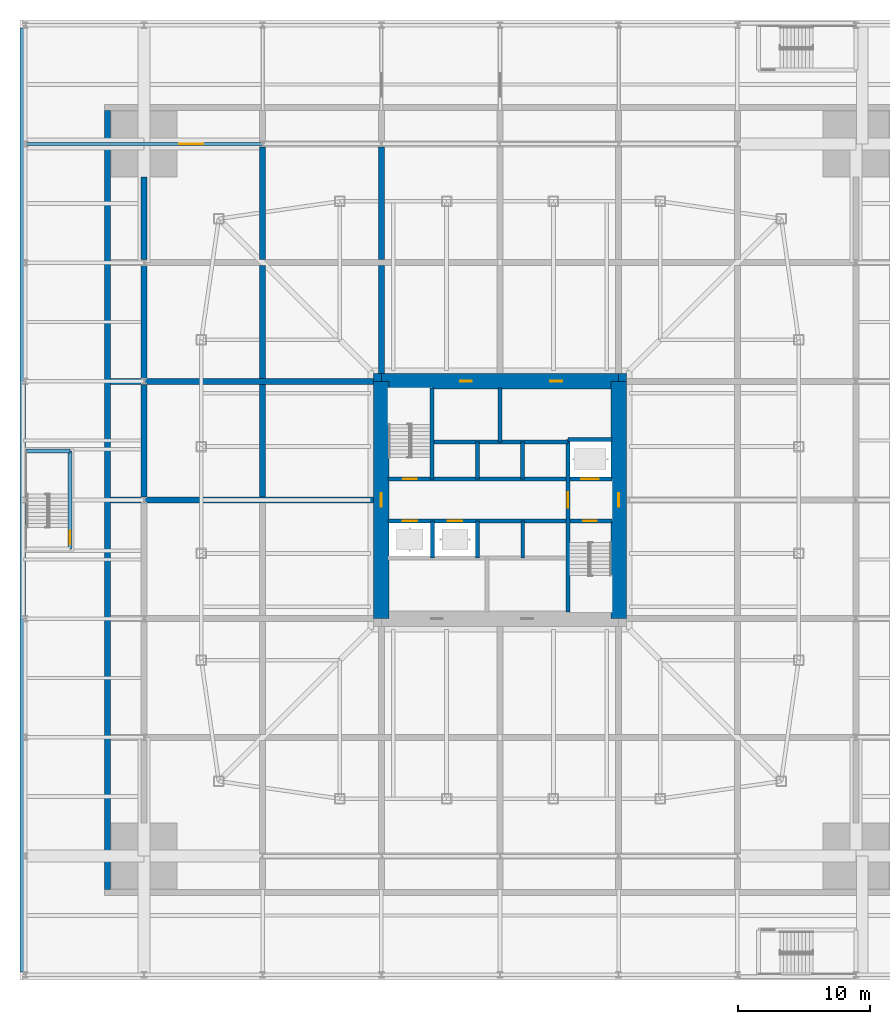
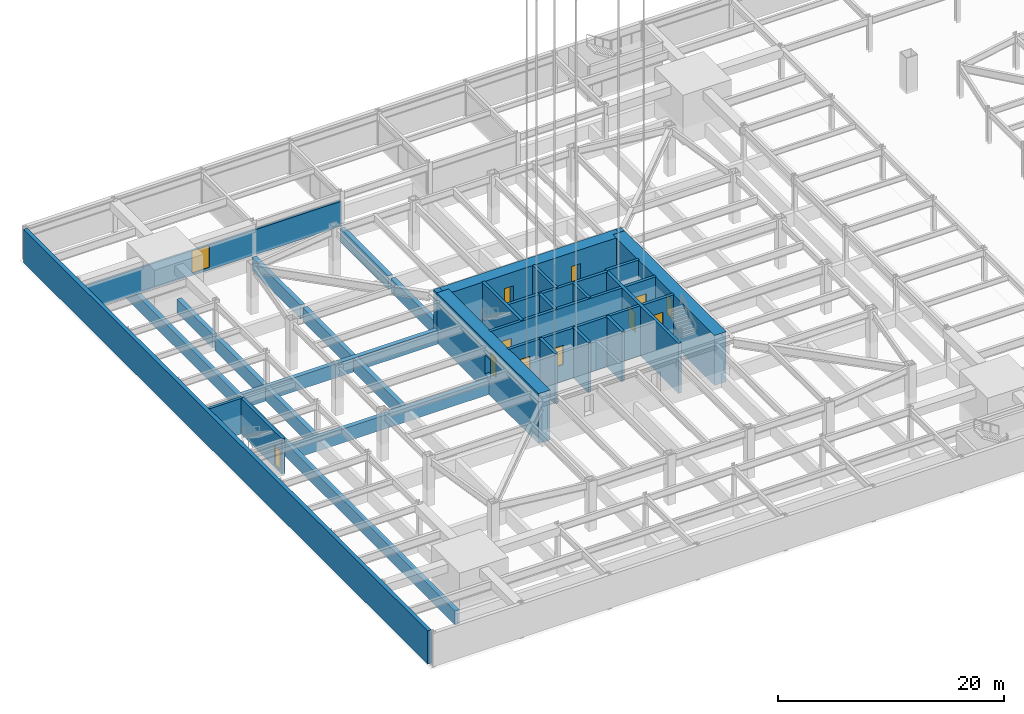
# One storey, part 13 of 35: 32 walls, 12 doors, 12 openings.
"""IFC4 building model written with IfcOpenShell, lengths in metres."""

from ifc_helpers import new_model, si_unit, direction, frame, frame_2d, origin, place, context, subcontext, project, spatial, rectangle, extrude, material, layer, layer_set, type_object, element, fill, save


model = new_model("IFC4")

# Units and contexts
model_context = context("Model", 3, precision=1e-05, world=origin(), true_north=direction((0.0, 1.0)))
body_context = subcontext(model_context, "Body", "Model", "MODEL_VIEW")
ifc_project = project(units=[si_unit("LENGTHUNIT", "METRE"), si_unit("AREAUNIT", "SQUARE_METRE"), si_unit("VOLUMEUNIT", "CUBIC_METRE"), si_unit("PLANEANGLEUNIT", "RADIAN"), si_unit("MASSUNIT", "GRAM", prefix="KILO")], contexts=[model_context])

# Site, building, storey
site_placement = place(None, origin())
site = spatial("IfcSite", under=ifc_project, at=site_placement, CompositionType="ELEMENT")
building_placement = place(site_placement, origin())
building = spatial("IfcBuilding", under=site, at=building_placement, Name="Iwan Alto Co-Living Towers", CompositionType="ELEMENT")
storey_placement = place(building_placement, frame((0.0, 0.0, -7.199951171875)))
storey = spatial("IfcBuildingStorey", under=building, at=storey_placement, Name="B2", CompositionType="ELEMENT", Elevation=-7.199951171875)

# Walls
ifc_material_1 = material(Name="Concrete f'c 70 MPa", Category="concrete")
ifc_layer_1 = layer(ifc_material_1, 0.39990234375)
ifc_layer_set_1 = layer_set([ifc_layer_1], Name="BASEMENT RETAINING WALL 400")
wall_type_1 = type_object("IfcWallType", Name="BASEMENT RETAINING WALL 400", PredefinedType="SOLIDWALL", material=ifc_layer_set_1)
wall_1_placement = place(storey_placement, frame((-36.199951171875, 35.800048828125, 0.0), z_axis=(0.0, 0.0, 1.0), x_axis=(0.0, -1.0, 0.0)))
element("IfcWall", 1, at=wall_1_placement, inside=storey, type_object=wall_type_1, Name="Basement retaining wall W B2", PredefinedType="SOLIDWALL", context=body_context, shape_type="SweptSolid", body=[
    extrude(rectangle(XDim=71.60009765625, YDim=0.39990234375, at=frame_2d((35.800048828125, 0.0))), origin(), (0.0, 0.0, 1.0), 3.599853515625),
])
ifc_material_2 = material(Name="Concrete f'c 35 MPa", Category="concrete")
ifc_layer_2 = layer(ifc_material_2, 0.449951171875)
ifc_layer_set_2 = layer_set([ifc_layer_2], Name="BOX CELL WALL 450")
wall_type_2 = type_object("IfcWallType", Name="BOX CELL WALL 450", PredefinedType="SOLIDWALL", material=ifc_layer_set_2)
wall_2_placement = place(storey_placement, frame((-29.77490234375, 29.550048828125, -1.800048828125), z_axis=(0.0, 0.0, 1.0), x_axis=(0.0, -1.0, 0.0)))
element("IfcWall", 2, at=wall_2_placement, inside=storey, type_object=wall_type_2, Name="T1 box perimeter wall W", PredefinedType="SOLIDWALL", context=body_context, shape_type="SweptSolid", body=[
    extrude(rectangle(XDim=59.10009765625, YDim=0.449951171875, at=frame_2d((29.550048828125, 0.0))), origin(), (0.0, 0.0, 1.0), 1.5),
])
for number, where, z_axis, x_axis, name in (
    (3, (-29.550048828125, 0.0, -1.800048828125), (0.0, 0.0, 1.0), (1.0, 0.0, 0.0), "T1 box cell wall on grid E"),
    (4, (-29.550048828125, 9.0, -1.800048828125), (0.0, 0.0, 1.0), (1.0, 0.0, 0.0), "T1 box cell wall on grid F"),
):
    element("IfcWall", number, at=place(storey_placement, frame(where, z_axis=z_axis, x_axis=x_axis)), inside=storey, type_object=wall_type_2, Name=name, PredefinedType="SOLIDWALL", context=body_context, shape_type="SweptSolid", body=[
        extrude(rectangle(XDim=19.949951171875, YDim=0.449951171875, at=frame_2d((9.97509765625, 0.0))), origin(), (0.0, 0.0, 1.0), 1.5),
    ])
for number, where, z_axis, x_axis, name in (
    (5, (-27.0, 0.22509765625, -1.800048828125), (0.0, 0.0, 1.0), (0.0, 1.0, 0.0), "T1 box cell wall on grid 2"),
    (6, (-27.0, 9.22509765625, -1.800048828125), (0.0, 0.0, 1.0), (0.0, 1.0, 0.0), "T1 box cell wall on grid 2"),
):
    element("IfcWall", number, at=place(storey_placement, frame(where, z_axis=z_axis, x_axis=x_axis)), inside=storey, type_object=wall_type_2, Name=name, PredefinedType="SOLIDWALL", context=body_context, shape_type="SweptSolid", body=[
        extrude(rectangle(XDim=8.5498046875, YDim=0.449951171875, at=frame_2d((4.27490234375, 0.0))), origin(), (0.0, 0.0, 1.0), 1.5),
    ])
wall_3_placement = place(storey_placement, frame((-27.0, 18.22509765625, -1.800048828125), z_axis=(0.0, 0.0, 1.0), x_axis=(0.0, 1.0, 0.0)))
element("IfcWall", 7, at=wall_3_placement, inside=storey, type_object=wall_type_2, Name="T1 box cell wall on grid 2", PredefinedType="SOLIDWALL", context=body_context, shape_type="SweptSolid", body=[
    extrude(rectangle(XDim=6.27490234375, YDim=0.449951171875, at=frame_2d((3.137451171875, 0.0))), origin(), (0.0, 0.0, 1.0), 1.5),
])
for number, where, z_axis, x_axis, name in (
    (8, (-18.0, 0.22509765625, -1.800048828125), (0.0, 0.0, 1.0), (0.0, 1.0, 0.0), "T1 box cell wall on grid 3"),
    (9, (-18.0, 9.22509765625, -1.800048828125), (0.0, 0.0, 1.0), (0.0, 1.0, 0.0), "T1 box cell wall on grid 3"),
    (10, (-18.0, 18.22509765625, -1.800048828125), (0.0, 0.0, 1.0), (0.0, 1.0, 0.0), "T1 box cell wall on grid 3"),
):
    element("IfcWall", number, at=place(storey_placement, frame(where, z_axis=z_axis, x_axis=x_axis)), inside=storey, type_object=wall_type_2, Name=name, PredefinedType="SOLIDWALL", context=body_context, shape_type="SweptSolid", body=[
        extrude(rectangle(XDim=8.5498046875, YDim=0.449951171875, at=frame_2d((4.27490234375, 0.0))), origin(), (0.0, 0.0, 1.0), 1.5),
    ])
wall_4_placement = place(storey_placement, frame((-9.0, 9.60009765625, -1.800048828125), z_axis=(0.0, 0.0, 1.0), x_axis=(0.0, 1.0, 0.0)))
element("IfcWall", 11, at=wall_4_placement, inside=storey, type_object=wall_type_2, Name="T1 box cell wall on grid 4", PredefinedType="SOLIDWALL", context=body_context, shape_type="SweptSolid", body=[
    extrude(rectangle(XDim=8.1748046875, YDim=0.449951171875, at=frame_2d((4.08740234375, 0.0))), origin(), (0.0, 0.0, 1.0), 1.5),
])
wall_5_placement = place(storey_placement, frame((-9.0, 18.22509765625, -1.800048828125), z_axis=(0.0, 0.0, 1.0), x_axis=(0.0, 1.0, 0.0)))
element("IfcWall", 12, at=wall_5_placement, inside=storey, type_object=wall_type_2, Name="T1 box cell wall on grid 4", PredefinedType="SOLIDWALL", context=body_context, shape_type="SweptSolid", body=[
    extrude(rectangle(XDim=8.5498046875, YDim=0.449951171875, at=frame_2d((4.27490234375, 0.0))), origin(), (0.0, 0.0, 1.0), 1.5),
])

# Wall, opening, door
ifc_material_3 = material(Name="Concrete block masonry f*p 10 MPa", Category="masonry")
ifc_layer_3 = layer(ifc_material_3, 0.199951171875)
ifc_layer_set_3 = layer_set([ifc_layer_3], Name="PODIUM INTERNAL WALL 200")
wall_type_3 = type_object("IfcWallType", Name="PODIUM INTERNAL WALL 200", PredefinedType="SOLIDWALL", material=ifc_layer_set_3)
wall_6_placement = place(storey_placement, frame((-35.93994140625, 27.0, -0.25), z_axis=(0.0, 0.0, 1.0), x_axis=(1.0, 0.0, 0.0)))
wall_6 = element("IfcWall", 13, at=wall_6_placement, inside=storey, type_object=wall_type_3, Name="Partition B2", PredefinedType="SOLIDWALL", context=body_context, shape_type="SweptSolid", body=[
    extrude(rectangle(XDim=26.93994140625, YDim=0.199951171875, at=frame_2d((13.469970703125, 0.0))), origin(), (0.0, 0.0, 1.0), 2.699951171875),
])
opening_1_placement = place(wall_6_placement, frame((11.6201171875, 0.0, 0.25)))
opening_1 = element("IfcOpeningElement", 14, at=opening_1_placement, cuts=wall_6, Name="Opening D10", PredefinedType="OPENING", context=body_context, shape_type="SweptSolid", body=[
    extrude(rectangle(XDim=1.800048828125, YDim=2.39990234375, at=frame_2d((0.89990234375, 1.199951171875))), frame((0.0, 0.10986328125, 0.0), z_axis=(0.0, -1.0, 0.0), x_axis=(1.0, 0.0, 0.0)), (0.0, 0.0, 1.0), 0.219970703125),
])
ifc_material_4 = material(Name="Steel frame with timber leaf", Category="steel")
door_type_1 = type_object("IfcDoorType", Name="PLANT ROOM DOOR FD60 1800X2400", OperationType="DOUBLE_DOOR_SINGLE_SWING", PredefinedType="DOOR", material=ifc_material_4)
door_1_placement = place(opening_1_placement, origin())
door_1 = element("IfcDoor", 15, at=door_1_placement, inside=storey, type_object=door_type_1, Name="Water storage tank room door B2", OperationType="DOUBLE_DOOR_SINGLE_SWING", OverallHeight=2.39990234375, OverallWidth=1.800048828125, PredefinedType="DOOR", context=body_context, shape_type="SweptSolid", body=[
    extrude(rectangle(XDim=1.800048828125, YDim=2.39990234375, at=frame_2d((0.89990234375, 1.199951171875))), frame((0.0, 0.02490234375, 0.0), z_axis=(0.0, -1.0, 0.0), x_axis=(1.0, 0.0, 0.0)), (0.0, 0.0, 1.0), 0.050048828125),
])
fill(opening_1, door_1)

# Wall, openings, doors
ifc_material_5 = material(Name="Concrete f'c 70 MPa", Category="concrete")
ifc_layer_4 = layer(ifc_material_5, 0.300048828125)
ifc_layer_set_4 = layer_set([ifc_layer_4], Name="SHAFT WALL 300")
wall_type_4 = type_object("IfcWallType", Name="SHAFT WALL 300", PredefinedType="SOLIDWALL", material=ifc_layer_set_4)
wall_7_placement = place(storey_placement, frame((-8.489990234375, -1.60009765625, -1.800048828125), z_axis=(0.0, 0.0, 1.0), x_axis=(1.0, 0.0, 0.0)))
wall_7 = element("IfcWall", 16, at=wall_7_placement, inside=storey, type_object=wall_type_4, Name="Shaft wall B2", PredefinedType="SOLIDWALL", context=body_context, shape_type="SweptSolid", body=[
    extrude(rectangle(XDim=16.97998046875, YDim=0.300048828125, at=frame_2d((8.489990234375, 0.0))), origin(), (0.0, 0.0, 1.0), 5.39990234375),
])
opening_2_placement = place(wall_7_placement, frame((14.81005859375, 0.0, 1.800048828125)))
opening_2 = element("IfcOpeningElement", 17, at=opening_2_placement, cuts=wall_7, Name="Opening D5", PredefinedType="OPENING", context=body_context, shape_type="SweptSolid", body=[
    extrude(rectangle(XDim=1.0, YDim=2.10009765625, at=frame_2d((0.5, 1.050048828125))), frame((0.0, 0.159912109375, 0.0), z_axis=(0.0, -1.0, 0.0), x_axis=(1.0, 0.0, 0.0)), (0.0, 0.0, 1.0), 0.320068359375),
])
opening_3_placement = place(wall_7_placement, frame((1.133056640625, 0.0, 1.800048828125)))
opening_3 = element("IfcOpeningElement", 18, at=opening_3_placement, cuts=wall_7, Name="Opening LD", PredefinedType="OPENING", context=body_context, shape_type="SweptSolid", body=[
    extrude(rectangle(XDim=1.10009765625, YDim=2.10009765625, at=frame_2d((0.550048828125, 1.050048828125))), frame((0.0, 0.159912109375, 0.0), z_axis=(0.0, -1.0, 0.0), x_axis=(1.0, 0.0, 0.0)), (0.0, 0.0, 1.0), 0.320068359375),
])
opening_4_placement = place(wall_7_placement, frame((4.528076171875, 0.0, 1.800048828125)))
opening_4 = element("IfcOpeningElement", 19, at=opening_4_placement, cuts=wall_7, Name="Opening LD", PredefinedType="OPENING", context=body_context, shape_type="SweptSolid", body=[
    extrude(rectangle(XDim=1.10009765625, YDim=2.10009765625, at=frame_2d((0.550048828125, 1.050048828125))), frame((0.0, 0.159912109375, 0.0), z_axis=(0.0, -1.0, 0.0), x_axis=(1.0, 0.0, 0.0)), (0.0, 0.0, 1.0), 0.320068359375),
])
ifc_material_6 = material(Name="Steel frame with timber leaf", Category="steel")
door_type_2 = type_object("IfcDoorType", Name="LIFT LANDING DOOR 1100X2100", OperationType="DOUBLE_DOOR_SLIDING", PredefinedType="DOOR", material=ifc_material_6)
door_2_placement = place(opening_3_placement, origin())
door_2 = element("IfcDoor", 20, at=door_2_placement, inside=storey, type_object=door_type_2, Name="Lift P1-1 landing door B2", OperationType="DOUBLE_DOOR_SLIDING", OverallHeight=2.10009765625, OverallWidth=1.10009765625, PredefinedType="DOOR", context=body_context, shape_type="SweptSolid", body=[
    extrude(rectangle(XDim=1.10009765625, YDim=2.10009765625, at=frame_2d((0.550048828125, 1.050048828125))), frame((0.0, 0.02490234375, 0.0), z_axis=(0.0, -1.0, 0.0), x_axis=(1.0, 0.0, 0.0)), (0.0, 0.0, 1.0), 0.050048828125),
])
fill(opening_3, door_2)
door_3_placement = place(opening_4_placement, origin())
door_3 = element("IfcDoor", 21, at=door_3_placement, inside=storey, type_object=door_type_2, Name="Lift P1-2 landing door B2", OperationType="DOUBLE_DOOR_SLIDING", OverallHeight=2.10009765625, OverallWidth=1.10009765625, PredefinedType="DOOR", context=body_context, shape_type="SweptSolid", body=[
    extrude(rectangle(XDim=1.10009765625, YDim=2.10009765625, at=frame_2d((0.550048828125, 1.050048828125))), frame((0.0, 0.02490234375, 0.0), z_axis=(0.0, -1.0, 0.0), x_axis=(1.0, 0.0, 0.0)), (0.0, 0.0, 1.0), 0.050048828125),
])
fill(opening_4, door_3)
ifc_material_7 = material(Name="Steel frame with timber leaf", Category="steel")
door_type_3 = type_object("IfcDoorType", Name="STAIR DOOR FD120S 1000X2100", OperationType="SINGLE_SWING_LEFT", PredefinedType="DOOR", material=ifc_material_7)
door_4_placement = place(opening_2_placement, frame((1.0, 0.0, 0.0), z_axis=(0.0, 0.0, 1.0), x_axis=(-1.0, 0.0, 0.0)))
door_4 = element("IfcDoor", 22, at=door_4_placement, inside=storey, type_object=door_type_3, Name="Stair S2 door B2", OperationType="SINGLE_SWING_RIGHT", OverallHeight=2.10009765625, OverallWidth=1.0, PredefinedType="DOOR", context=body_context, shape_type="SweptSolid", body=[
    extrude(rectangle(XDim=1.0, YDim=2.10009765625, at=frame_2d((0.5, 1.050048828125))), frame((0.0, 0.02490234375, 0.0), z_axis=(0.0, -1.0, 0.0), x_axis=(1.0, 0.0, 0.0)), (0.0, 0.0, 1.0), 0.050048828125),
])
fill(opening_2, door_4)

wall_8_placement = place(storey_placement, frame((-8.489990234375, 1.60009765625, -1.800048828125), z_axis=(0.0, 0.0, 1.0), x_axis=(1.0, 0.0, 0.0)))
wall_8 = element("IfcWall", 23, at=wall_8_placement, inside=storey, type_object=wall_type_4, Name="Shaft wall B2", PredefinedType="SOLIDWALL", context=body_context, shape_type="SweptSolid", body=[
    extrude(rectangle(XDim=16.97998046875, YDim=0.300048828125, at=frame_2d((8.489990234375, 0.0))), origin(), (0.0, 0.0, 1.0), 5.39990234375),
])
opening_5_placement = place(wall_8_placement, frame((1.169921875, 0.0, 1.800048828125)))
opening_5 = element("IfcOpeningElement", 24, at=opening_5_placement, cuts=wall_8, Name="Opening D5", PredefinedType="OPENING", context=body_context, shape_type="SweptSolid", body=[
    extrude(rectangle(XDim=1.0, YDim=2.10009765625, at=frame_2d((0.5, 1.050048828125))), frame((0.0, 0.159912109375, 0.0), z_axis=(0.0, -1.0, 0.0), x_axis=(1.0, 0.0, 0.0)), (0.0, 0.0, 1.0), 0.320068359375),
])
opening_6_placement = place(wall_8_placement, frame((14.659912109375, 0.0, 1.800048828125)))
opening_6 = element("IfcOpeningElement", 25, at=opening_6_placement, cuts=wall_8, Name="Opening LD2", PredefinedType="OPENING", context=body_context, shape_type="SweptSolid", body=[
    extrude(rectangle(XDim=1.300048828125, YDim=2.10009765625, at=frame_2d((0.64990234375, 1.050048828125))), frame((0.0, 0.159912109375, 0.0), z_axis=(0.0, -1.0, 0.0), x_axis=(1.0, 0.0, 0.0)), (0.0, 0.0, 1.0), 0.320068359375),
])
ifc_material_8 = material(Name="Steel frame with timber leaf", Category="steel")
door_type_4 = type_object("IfcDoorType", Name="LIFT LANDING DOOR 1300X2100", OperationType="SLIDING_TO_LEFT", PredefinedType="DOOR", material=ifc_material_8)
door_5_placement = place(opening_6_placement, origin())
door_5 = element("IfcDoor", 26, at=door_5_placement, inside=storey, type_object=door_type_4, Name="Lift FL1 landing door B2", OperationType="SLIDING_TO_LEFT", OverallHeight=2.10009765625, OverallWidth=1.300048828125, PredefinedType="DOOR", context=body_context, shape_type="SweptSolid", body=[
    extrude(rectangle(XDim=1.300048828125, YDim=2.10009765625, at=frame_2d((0.64990234375, 1.050048828125))), frame((0.0, 0.02490234375, 0.0), z_axis=(0.0, -1.0, 0.0), x_axis=(1.0, 0.0, 0.0)), (0.0, 0.0, 1.0), 0.050048828125),
])
fill(opening_6, door_5)
door_6_placement = place(opening_5_placement, origin())
door_6 = element("IfcDoor", 27, at=door_6_placement, inside=storey, type_object=door_type_3, Name="Stair S1 door B2", OperationType="SINGLE_SWING_RIGHT", OverallHeight=2.10009765625, OverallWidth=1.0, PredefinedType="DOOR", context=body_context, shape_type="SweptSolid", body=[
    extrude(rectangle(XDim=1.0, YDim=2.10009765625, at=frame_2d((0.5, 1.050048828125))), frame((0.0, 0.02490234375, 0.0), z_axis=(0.0, -1.0, 0.0), x_axis=(1.0, 0.0, 0.0)), (0.0, 0.0, 1.0), 0.050048828125),
])
fill(opening_5, door_6)

# Walls
wall_9_placement = place(storey_placement, frame((-35.93994140625, 3.699951171875, -0.25), z_axis=(0.0, 0.0, 1.0), x_axis=(1.0, 0.0, 0.0)))
element("IfcWall", 28, at=wall_9_placement, inside=storey, type_object=wall_type_4, Name="Shaft wall B2", PredefinedType="SOLIDWALL", context=body_context, shape_type="SweptSolid", body=[
    extrude(rectangle(XDim=3.33984375, YDim=0.300048828125, at=frame_2d((1.669921875, 0.0))), origin(), (0.0, 0.0, 1.0), 3.849853515625),
])
wall_10_placement = place(storey_placement, frame((-5.14990234375, 4.39990234375, -1.800048828125), z_axis=(0.0, 0.0, 1.0), x_axis=(1.0, 0.0, 0.0)))
element("IfcWall", 29, at=wall_10_placement, inside=storey, type_object=wall_type_4, Name="Shaft wall B2", PredefinedType="SOLIDWALL", context=body_context, shape_type="SweptSolid", body=[
    extrude(rectangle(XDim=10.2998046875, YDim=0.300048828125, at=frame_2d((5.14990234375, 0.0))), origin(), (0.0, 0.0, 1.0), 5.39990234375),
])
wall_11_placement = place(storey_placement, frame((5.14990234375, 4.60009765625, -1.800048828125), z_axis=(0.0, 0.0, 1.0), x_axis=(1.0, 0.0, 0.0)))
element("IfcWall", 30, at=wall_11_placement, inside=storey, type_object=wall_type_4, Name="Shaft wall B2", PredefinedType="SOLIDWALL", context=body_context, shape_type="SweptSolid", body=[
    extrude(rectangle(XDim=3.340087890625, YDim=0.300048828125, at=frame_2d((1.669921875, 0.0))), origin(), (0.0, 0.0, 1.0), 5.39990234375),
])

# Wall, opening, door
wall_12_placement = place(storey_placement, frame((5.14990234375, -8.489990234375, -1.800048828125), z_axis=(0.0, 0.0, 1.0), x_axis=(0.0, 1.0, 0.0)))
wall_12 = element("IfcWall", 31, at=wall_12_placement, inside=storey, type_object=wall_type_4, Name="Shaft wall B2", PredefinedType="SOLIDWALL", context=body_context, shape_type="SweptSolid", body=[
    extrude(rectangle(XDim=13.090087890625, YDim=0.300048828125, at=frame_2d((6.544921875, 0.0))), origin(), (0.0, 0.0, 1.0), 5.39990234375),
])
opening_7_placement = place(wall_12_placement, frame((7.889892578125, 0.0, 1.800048828125)))
opening_7 = element("IfcOpeningElement", 32, at=opening_7_placement, cuts=wall_12, Name="Opening D6", PredefinedType="OPENING", context=body_context, shape_type="SweptSolid", body=[
    extrude(rectangle(XDim=1.199951171875, YDim=2.10009765625, at=frame_2d((0.60009765625, 1.050048828125))), frame((0.0, 0.159912109375, 0.0), z_axis=(0.0, -1.0, 0.0), x_axis=(1.0, 0.0, 0.0)), (0.0, 0.0, 1.0), 0.320068359375),
])
ifc_material_9 = material(Name="Steel frame with timber leaf", Category="steel")
door_type_5 = type_object("IfcDoorType", Name="LOBBY DOOR FD120S 1200X2100", OperationType="SINGLE_SWING_LEFT", PredefinedType="DOOR", material=ifc_material_9)
door_7_placement = place(opening_7_placement, frame((1.199951171875, 0.0, 0.0), z_axis=(0.0, 0.0, 1.0), x_axis=(-1.0, 0.0, 0.0)))
door_7 = element("IfcDoor", 33, at=door_7_placement, inside=storey, type_object=door_type_5, Name="Firefighting lobby door B2", OperationType="SINGLE_SWING_RIGHT", OverallHeight=2.10009765625, OverallWidth=1.199951171875, PredefinedType="DOOR", context=body_context, shape_type="SweptSolid", body=[
    extrude(rectangle(XDim=1.199951171875, YDim=2.10009765625, at=frame_2d((0.60009765625, 1.050048828125))), frame((0.0, 0.02490234375, 0.0), z_axis=(0.0, -1.0, 0.0), x_axis=(1.0, 0.0, 0.0)), (0.0, 0.0, 1.0), 0.050048828125),
])
fill(opening_7, door_7)

# Walls
for number, where, z_axis, x_axis, name in (
    (34, (1.72509765625, -4.39990234375, -1.800048828125), (0.0, 0.0, 1.0), (0.0, 1.0, 0.0), "Shaft wall B2"),
    (35, (1.717041015625, 1.60009765625, -1.800048828125), (0.0, 0.0, 1.0), (0.0, 1.0, 0.0), "Shaft wall B2"),
):
    element("IfcWall", number, at=place(storey_placement, frame(where, z_axis=z_axis, x_axis=x_axis)), inside=storey, type_object=wall_type_4, Name=name, PredefinedType="SOLIDWALL", context=body_context, shape_type="SweptSolid", body=[
        extrude(rectangle(XDim=2.7998046875, YDim=0.300048828125, at=frame_2d((1.39990234375, 0.0))), origin(), (0.0, 0.0, 1.0), 5.39990234375),
    ])
wall_13_placement = place(storey_placement, frame((0.0, 4.39990234375, -1.800048828125), z_axis=(0.0, 0.0, 1.0), x_axis=(0.0, 1.0, 0.0)))
element("IfcWall", 36, at=wall_13_placement, inside=storey, type_object=wall_type_4, Name="Shaft wall B2", PredefinedType="SOLIDWALL", context=body_context, shape_type="SweptSolid", body=[
    extrude(rectangle(XDim=4.090087890625, YDim=0.300048828125, at=frame_2d((2.044921875, 0.0))), origin(), (0.0, 0.0, 1.0), 5.39990234375),
])
for number, where, z_axis, x_axis, name in (
    (37, (-1.699951171875, -4.39990234375, -1.800048828125), (0.0, 0.0, 1.0), (0.0, 1.0, 0.0), "Shaft wall B2"),
    (38, (-1.717041015625, 1.60009765625, -1.800048828125), (0.0, 0.0, 1.0), (0.0, 1.0, 0.0), "Shaft wall B2"),
    (39, (-5.125, -4.39990234375, -1.800048828125), (0.0, 0.0, 1.0), (0.0, 1.0, 0.0), "Shaft wall B2"),
):
    element("IfcWall", number, at=place(storey_placement, frame(where, z_axis=z_axis, x_axis=x_axis)), inside=storey, type_object=wall_type_4, Name=name, PredefinedType="SOLIDWALL", context=body_context, shape_type="SweptSolid", body=[
        extrude(rectangle(XDim=2.7998046875, YDim=0.300048828125, at=frame_2d((1.39990234375, 0.0))), origin(), (0.0, 0.0, 1.0), 5.39990234375),
    ])
wall_14_placement = place(storey_placement, frame((-5.14990234375, 1.60009765625, -1.800048828125), z_axis=(0.0, 0.0, 1.0), x_axis=(0.0, 1.0, 0.0)))
element("IfcWall", 40, at=wall_14_placement, inside=storey, type_object=wall_type_4, Name="Shaft wall B2", PredefinedType="SOLIDWALL", context=body_context, shape_type="SweptSolid", body=[
    extrude(rectangle(XDim=6.889892578125, YDim=0.300048828125, at=frame_2d((3.44482421875, 0.0))), origin(), (0.0, 0.0, 1.0), 5.39990234375),
])

# Wall, opening, door
wall_15_placement = place(storey_placement, frame((-32.60009765625, -3.699951171875, -0.25), z_axis=(0.0, 0.0, 1.0), x_axis=(0.0, 1.0, 0.0)))
wall_15 = element("IfcWall", 41, at=wall_15_placement, inside=storey, type_object=wall_type_4, Name="Shaft wall B2", PredefinedType="SOLIDWALL", context=body_context, shape_type="SweptSolid", body=[
    extrude(rectangle(XDim=7.39990234375, YDim=0.300048828125, at=frame_2d((3.699951171875, 0.0))), origin(), (0.0, 0.0, 1.0), 3.849853515625),
])
opening_8_placement = place(wall_15_placement, frame((0.35009765625, 0.0, 0.25)))
opening_8 = element("IfcOpeningElement", 42, at=opening_8_placement, cuts=wall_15, Name="Opening D5", PredefinedType="OPENING", context=body_context, shape_type="SweptSolid", body=[
    extrude(rectangle(XDim=1.0, YDim=2.10009765625, at=frame_2d((0.5, 1.050048828125))), frame((0.0, 0.159912109375, 0.0), z_axis=(0.0, -1.0, 0.0), x_axis=(1.0, 0.0, 0.0)), (0.0, 0.0, 1.0), 0.320068359375),
])
door_8_placement = place(opening_8_placement, origin())
door_8 = element("IfcDoor", 43, at=door_8_placement, inside=storey, type_object=door_type_3, Name="Stair PS1 door B2", OperationType="SINGLE_SWING_LEFT", OverallHeight=2.10009765625, OverallWidth=1.0, PredefinedType="DOOR", context=body_context, shape_type="SweptSolid", body=[
    extrude(rectangle(XDim=1.0, YDim=2.10009765625, at=frame_2d((0.5, 1.050048828125))), frame((0.0, 0.02490234375, 0.0), z_axis=(0.0, -1.0, 0.0), x_axis=(1.0, 0.0, 0.0)), (0.0, 0.0, 1.0), 0.050048828125),
])
fill(opening_8, door_8)

# Walls
ifc_material_10 = material(Name="Concrete f'c 70 MPa", Category="concrete")
ifc_layer_5 = layer(ifc_material_10, 0.60009765625)
ifc_layer_set_5 = layer_set([ifc_layer_5], Name="T1 CORE CORNER FILL 600")
wall_type_5 = type_object("IfcWallType", Name="T1 CORE CORNER FILL 600", PredefinedType="SOLIDWALL", material=ifc_layer_set_5)
for number, where, z_axis, x_axis, name in (
    (44, (9.0, 9.300048828125, -1.800048828125), (0.0, 0.0, 1.0), (1.0, 0.0, 0.0), "T1 core corner NE B2"),
    (45, (-9.60009765625, 9.300048828125, -1.800048828125), (0.0, 0.0, 1.0), (1.0, 0.0, 0.0), "T1 core corner NW B2"),
):
    element("IfcWall", number, at=place(storey_placement, frame(where, z_axis=z_axis, x_axis=x_axis)), inside=storey, type_object=wall_type_5, Name=name, PredefinedType="SOLIDWALL", context=body_context, shape_type="SweptSolid", body=[
        extrude(rectangle(XDim=0.60009765625, YDim=0.60009765625, at=frame_2d((0.300048828125, 0.0))), origin(), (0.0, 0.0, 1.0), 5.39990234375),
    ])

# Wall, openings, doors
ifc_material_11 = material(Name="Concrete f'c 70 MPa", Category="concrete")
ifc_layer_6 = layer(ifc_material_11, 1.199951171875)
ifc_layer_set_6 = layer_set([ifc_layer_6], Name="T1 CORE WALL 1200")
wall_type_6 = type_object("IfcWallType", Name="T1 CORE WALL 1200", PredefinedType="SHEAR", material=ifc_layer_set_6)
wall_16_placement = place(storey_placement, frame((9.0, 9.0, -1.800048828125), z_axis=(0.0, 0.0, 1.0), x_axis=(-1.0, 0.0, 0.0)))
wall_16 = element("IfcWall", 46, at=wall_16_placement, inside=storey, type_object=wall_type_6, Name="T1 core wall N B2", PredefinedType="SHEAR", context=body_context, shape_type="SweptSolid", body=[
    extrude(rectangle(XDim=18.0, YDim=1.199951171875, at=frame_2d((9.0, 0.0))), origin(), (0.0, 0.0, 1.0), 5.39990234375),
])
opening_9_placement = place(wall_16_placement, frame((11.125, 0.0, 1.800048828125)))
opening_9 = element("IfcOpeningElement", 47, at=opening_9_placement, cuts=wall_16, Name="Opening D8", PredefinedType="OPENING", context=body_context, shape_type="SweptSolid", body=[
    extrude(rectangle(XDim=0.89990234375, YDim=2.10009765625, at=frame_2d((0.449951171875, 1.050048828125))), frame((0.0, 0.60986328125, 0.0), z_axis=(0.0, -1.0, 0.0), x_axis=(1.0, 0.0, 0.0)), (0.0, 0.0, 1.0), 1.219970703125),
])
opening_10_placement = place(wall_16_placement, frame((4.27490234375, 0.0, 1.800048828125)))
opening_10 = element("IfcOpeningElement", 48, at=opening_10_placement, cuts=wall_16, Name="Opening D8", PredefinedType="OPENING", context=body_context, shape_type="SweptSolid", body=[
    extrude(rectangle(XDim=0.89990234375, YDim=2.10009765625, at=frame_2d((0.449951171875, 1.050048828125))), frame((0.0, 0.60986328125, 0.0), z_axis=(0.0, -1.0, 0.0), x_axis=(1.0, 0.0, 0.0)), (0.0, 0.0, 1.0), 1.219970703125),
])
ifc_material_12 = material(Name="Steel frame with timber leaf", Category="steel")
door_type_6 = type_object("IfcDoorType", Name="RISER DOOR FD120 900X2100", OperationType="SINGLE_SWING_LEFT", PredefinedType="DOOR", material=ifc_material_12)
door_9_placement = place(opening_9_placement, origin())
door_9 = element("IfcDoor", 49, at=door_9_placement, inside=storey, type_object=door_type_6, Name="Electrical riser core door B2", OperationType="SINGLE_SWING_RIGHT", OverallHeight=2.10009765625, OverallWidth=0.89990234375, PredefinedType="DOOR", context=body_context, shape_type="SweptSolid", body=[
    extrude(rectangle(XDim=0.89990234375, YDim=2.10009765625, at=frame_2d((0.449951171875, 1.050048828125))), frame((0.0, 0.02490234375, 0.0), z_axis=(0.0, -1.0, 0.0), x_axis=(1.0, 0.0, 0.0)), (0.0, 0.0, 1.0), 0.050048828125),
])
fill(opening_9, door_9)
door_10_placement = place(opening_10_placement, origin())
door_10 = element("IfcDoor", 50, at=door_10_placement, inside=storey, type_object=door_type_6, Name="Water and drainage riser core door B2", OperationType="SINGLE_SWING_RIGHT", OverallHeight=2.10009765625, OverallWidth=0.89990234375, PredefinedType="DOOR", context=body_context, shape_type="SweptSolid", body=[
    extrude(rectangle(XDim=0.89990234375, YDim=2.10009765625, at=frame_2d((0.449951171875, 1.050048828125))), frame((0.0, 0.02490234375, 0.0), z_axis=(0.0, -1.0, 0.0), x_axis=(1.0, 0.0, 0.0)), (0.0, 0.0, 1.0), 0.050048828125),
])
fill(opening_10, door_10)

# Wall, opening, door
wall_17_placement = place(storey_placement, frame((9.0, -9.0, -1.800048828125), z_axis=(0.0, 0.0, 1.0), x_axis=(0.0, 1.0, 0.0)))
wall_17 = element("IfcWall", 51, at=wall_17_placement, inside=storey, type_object=wall_type_6, Name="T1 core wall E B2", PredefinedType="SHEAR", context=body_context, shape_type="SweptSolid", body=[
    extrude(rectangle(XDim=18.0, YDim=1.199951171875, at=frame_2d((9.0, 0.0))), origin(), (0.0, 0.0, 1.0), 5.39990234375),
])
opening_11_placement = place(wall_17_placement, frame((8.5, 0.0, 1.800048828125)))
opening_11 = element("IfcOpeningElement", 52, at=opening_11_placement, cuts=wall_17, Name="Opening D7", PredefinedType="OPENING", context=body_context, shape_type="SweptSolid", body=[
    extrude(rectangle(XDim=1.0, YDim=2.10009765625, at=frame_2d((0.5, 1.050048828125))), frame((0.0, 0.60986328125, 0.0), z_axis=(0.0, -1.0, 0.0), x_axis=(1.0, 0.0, 0.0)), (0.0, 0.0, 1.0), 1.219970703125),
])
ifc_material_13 = material(Name="Steel frame with timber leaf", Category="steel")
door_type_7 = type_object("IfcDoorType", Name="CORE DOOR FD120S 1000X2100", OperationType="SINGLE_SWING_LEFT", PredefinedType="DOOR", material=ifc_material_13)
door_11_placement = place(opening_11_placement, origin())
door_11 = element("IfcDoor", 53, at=door_11_placement, inside=storey, type_object=door_type_7, Name="Firefighting lobby core door B2", OperationType="SINGLE_SWING_LEFT", OverallHeight=2.10009765625, OverallWidth=1.0, PredefinedType="DOOR", context=body_context, shape_type="SweptSolid", body=[
    extrude(rectangle(XDim=1.0, YDim=2.10009765625, at=frame_2d((0.5, 1.050048828125))), frame((0.0, 0.02490234375, 0.0), z_axis=(0.0, -1.0, 0.0), x_axis=(1.0, 0.0, 0.0)), (0.0, 0.0, 1.0), 0.050048828125),
])
fill(opening_11, door_11)

wall_18_placement = place(storey_placement, frame((-9.0, 9.0, -1.800048828125), z_axis=(0.0, 0.0, 1.0), x_axis=(0.0, -1.0, 0.0)))
wall_18 = element("IfcWall", 54, at=wall_18_placement, inside=storey, type_object=wall_type_6, Name="T1 core wall W B2", PredefinedType="SHEAR", context=body_context, shape_type="SweptSolid", body=[
    extrude(rectangle(XDim=18.0, YDim=1.199951171875, at=frame_2d((9.0, 0.0))), origin(), (0.0, 0.0, 1.0), 5.39990234375),
])
opening_12_placement = place(wall_18_placement, frame((8.5, 0.0, 1.800048828125)))
opening_12 = element("IfcOpeningElement", 55, at=opening_12_placement, cuts=wall_18, Name="Opening D7", PredefinedType="OPENING", context=body_context, shape_type="SweptSolid", body=[
    extrude(rectangle(XDim=1.0, YDim=2.10009765625, at=frame_2d((0.5, 1.050048828125))), frame((0.0, 0.60986328125, 0.0), z_axis=(0.0, -1.0, 0.0), x_axis=(1.0, 0.0, 0.0)), (0.0, 0.0, 1.0), 1.219970703125),
])
door_12_placement = place(opening_12_placement, origin())
door_12 = element("IfcDoor", 56, at=door_12_placement, inside=storey, type_object=door_type_7, Name="Lift lobby core door B2", OperationType="SINGLE_SWING_RIGHT", OverallHeight=2.10009765625, OverallWidth=1.0, PredefinedType="DOOR", context=body_context, shape_type="SweptSolid", body=[
    extrude(rectangle(XDim=1.0, YDim=2.10009765625, at=frame_2d((0.5, 1.050048828125))), frame((0.0, 0.02490234375, 0.0), z_axis=(0.0, -1.0, 0.0), x_axis=(1.0, 0.0, 0.0)), (0.0, 0.0, 1.0), 0.050048828125),
])
fill(opening_12, door_12)

save(model, "model.ifc")
